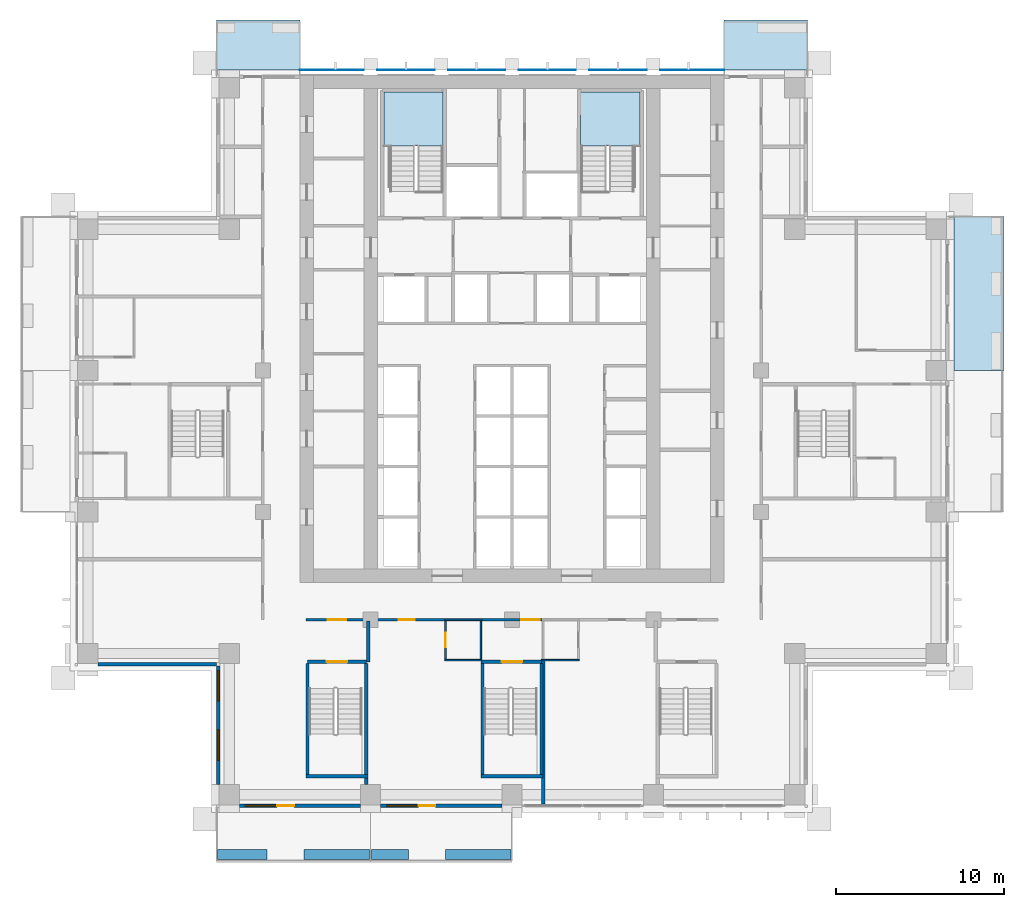
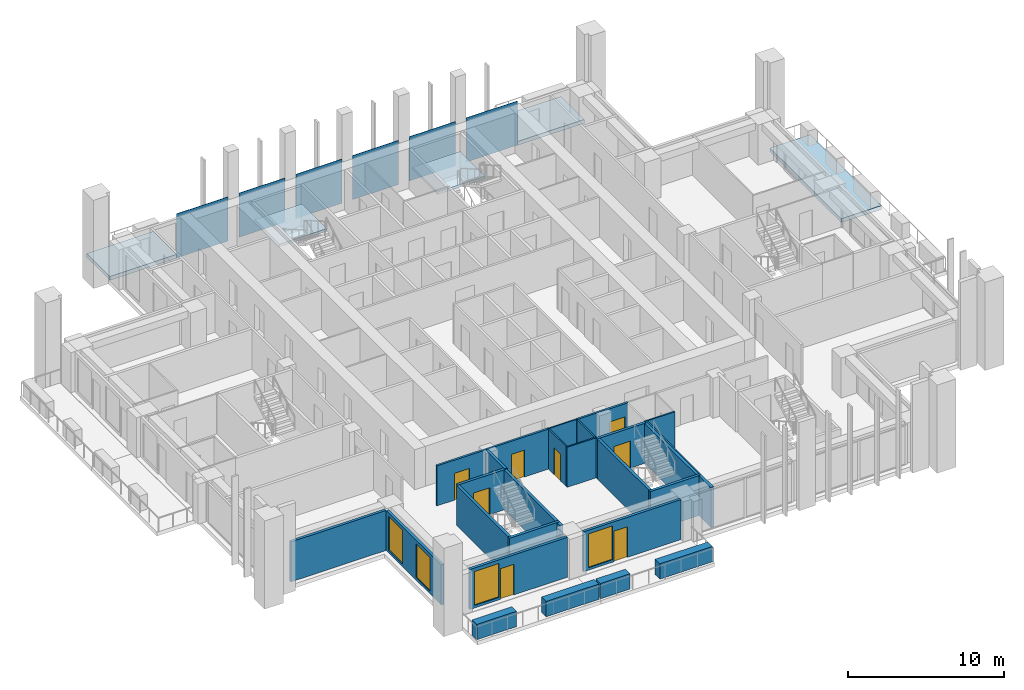
# One storey, part 6 of 17: 25 walls, 8 doors, 6 plates, 5 slabs, 4 windows, 12 openings, 2 elements without a shape of their own.
"""IFC4 building model written with IfcOpenShell, lengths in metres."""

import ifcopenshell
import ifcopenshell.guid

model = None  # the IFC model being written
_history = None  # IfcOwnerHistory: only IFC2X3 demands one
_inside = {}  # id of a spatial element -> (the spatial element, [elements in it])
_under = {}  # id of a project, library or spatial element -> (it, [spatial elements below it])
_declared = {}  # id of a project -> (the project, [libraries it declares])
_typed = {}  # id of a type object -> (the type object, [elements of that type])
_made_of = {}  # id of a material, layer set ... -> (it, [elements and type objects made of it])


def new_model(schema):
    """Start an empty IFC model of exactly this schema.

    Asked for "IFC4X3", IfcOpenShell would pick the latest addendum, in which some entities
    have other attributes; the version numbers below select the first issue.
    IFC2X3 requires an IfcOwnerHistory on every rooted entity: one is made here for all.
    """
    global model, _history
    if schema == "IFC4X3":
        model = ifcopenshell.file(schema_version=(4, 3, 0, 0))
    else:
        model = ifcopenshell.file(schema=schema)
    _inside.clear()
    _under.clear()
    _declared.clear()
    _typed.clear()
    _made_of.clear()
    _history = None
    if model.schema == "IFC2X3":
        org = make("IfcOrganization", Name="unknown")
        user = make(
            "IfcPersonAndOrganization",
            ThePerson=make("IfcPerson", FamilyName="unknown"),
            TheOrganization=org,
        )
        app = make(
            "IfcApplication",
            ApplicationDeveloper=org,
            Version="unknown",
            ApplicationFullName="unknown",
            ApplicationIdentifier="unknown",
        )
        _history = make(
            "IfcOwnerHistory",
            OwningUser=user,
            OwningApplication=app,
            ChangeAction="ADDED",
            CreationDate=0,
        )
    return model


def make(cls, **values):
    """One entity of the class cls with the attributes given. An attribute that is None is left unset."""
    return model.create_entity(
        cls, **{name: value for name, value in values.items() if value is not None}
    )


def rooted(cls, **values):
    """An entity with a GlobalId (a new one), such as an element, a storey or a relation."""
    return make(cls, GlobalId=ifcopenshell.guid.new(), OwnerHistory=_history, **values)


def si_unit(unit_type, name, prefix=None):
    """IfcSIUnit, for example si_unit("LENGTHUNIT", "METRE", prefix="MILLI")."""
    return make("IfcSIUnit", UnitType=unit_type, Prefix=prefix, Name=name)


def assignment(units):
    """IfcUnitAssignment: the units of a project."""
    return None if units is None else make("IfcUnitAssignment", Units=units)


def point(xyz):
    """IfcCartesianPoint."""
    return None if xyz is None else make("IfcCartesianPoint", Coordinates=xyz)


def direction(xyz):
    """IfcDirection."""
    return None if xyz is None else make("IfcDirection", DirectionRatios=xyz)


def frame(location, z_axis=None, x_axis=None):
    """IfcAxis2Placement3D, a coordinate frame: its origin and axes. An axis left out is left unset."""
    return make(
        "IfcAxis2Placement3D",
        Location=point(location),
        Axis=direction(z_axis),
        RefDirection=direction(x_axis),
    )


def frame_2d(location, x_axis=None):
    """IfcAxis2Placement2D, a coordinate frame in the plane: its origin and x axis."""
    return make(
        "IfcAxis2Placement2D", Location=point(location), RefDirection=direction(x_axis)
    )


def origin():
    """The frame at (0, 0, 0) with its axes left unset."""
    return frame((0.0, 0.0, 0.0))


def origin_2d():
    """The frame at (0, 0) in the plane with its x axis left unset."""
    return frame_2d((0.0, 0.0))


def place(relative_to, where):
    """IfcLocalPlacement: puts the frame where relative to a parent placement (None: the world)."""
    return make(
        "IfcLocalPlacement", PlacementRelTo=relative_to, RelativePlacement=where
    )


def context(
    kind, dimensions, precision=None, world=None, true_north=None, identifier=None
):
    """IfcGeometricRepresentationContext, for example the 3D "Model" context."""
    return make(
        "IfcGeometricRepresentationContext",
        ContextIdentifier=identifier,
        ContextType=kind,
        CoordinateSpaceDimension=dimensions,
        Precision=precision,
        WorldCoordinateSystem=world,
        TrueNorth=true_north,
    )


def subcontext(parent, identifier, kind, view, scale=None):
    """IfcGeometricRepresentationSubContext, for example "Body" below "Model"."""
    return make(
        "IfcGeometricRepresentationSubContext",
        ContextIdentifier=identifier,
        ContextType=kind,
        ParentContext=parent,
        TargetScale=scale,
        TargetView=view,
    )


def project(units=None, contexts=None):
    """IfcProject with its units and contexts."""
    return rooted(
        "IfcProject",
        Name="project",
        RepresentationContexts=contexts,
        UnitsInContext=assignment(units),
    )


def spatial(cls, under=None, at=None, **own):
    """A site, building, storey or space (cls), placed at a placement, below another one or the project."""
    s = rooted(cls, ObjectPlacement=at, **own)
    if under is not None:
        _under.setdefault(under.id(), (under, []))[1].append(s)
    return s


def polyline(points):
    """IfcPolyline through the points."""
    return make("IfcPolyline", Points=[point(p) for p in points])


def profile(cls, at=None, kind="AREA", **sizes):
    """A parametric profile (cls). Its sizes go by their IFC names, for example OverallWidth=200.0."""
    return make(cls, ProfileType=kind, Position=at, **sizes)


def rectangle(**sizes):
    """IfcRectangleProfileDef."""
    return profile("IfcRectangleProfileDef", **sizes)


def outline(outer, holes=None, kind="AREA"):
    """IfcArbitraryClosedProfileDef: a profile drawn as a closed curve; with holes, ...WithVoids."""
    if holes is None:
        return make("IfcArbitraryClosedProfileDef", ProfileType=kind, OuterCurve=outer)
    return make(
        "IfcArbitraryProfileDefWithVoids",
        ProfileType=kind,
        OuterCurve=outer,
        InnerCurves=holes,
    )


def extrude(swept, where, along, depth):
    """IfcExtrudedAreaSolid: the profile swept, set in the frame where, extruded along a direction by depth."""
    return make(
        "IfcExtrudedAreaSolid",
        SweptArea=swept,
        Position=where,
        ExtrudedDirection=direction(along),
        Depth=depth,
    )


def shape(context_of_items, identifier, shape_type, items):
    """IfcShapeRepresentation: the items that make up one representation, for example the "Body"."""
    return make(
        "IfcShapeRepresentation",
        ContextOfItems=context_of_items,
        RepresentationIdentifier=identifier,
        RepresentationType=shape_type,
        Items=items,
    )


def material(Name=None, Category=None):
    """IfcMaterial."""
    return make("IfcMaterial", Name=Name, Category=Category)


def layer(
    of_material, thickness, ventilated=None, Name=None, Category=None, Priority=None
):
    """IfcMaterialLayer: one layer of a wall or slab, of a material (None: an air gap)."""
    return make(
        "IfcMaterialLayer",
        Material=of_material,
        LayerThickness=thickness,
        IsVentilated=ventilated,
        Name=Name,
        Category=Category,
        Priority=Priority,
    )


def layer_set(layers, Name=None):
    """IfcMaterialLayerSet."""
    return make("IfcMaterialLayerSet", MaterialLayers=layers, LayerSetName=Name)


def made_of(thing, what):
    """Note that an element or type object is made of a material, layer set ...; save() writes the relation."""
    if what is not None:
        _made_of.setdefault(what.id(), (what, []))[1].append(thing)
    return thing


def type_object(cls, material=None, **own):
    """A type object (cls), such as IfcWallType, which elements share."""
    return made_of(rooted(cls, **own), material)


def element(
    cls,
    number,
    at=None,
    inside=None,
    cuts=None,
    type_object=None,
    material=None,
    context=None,
    identifier="Body",
    shape_type=None,
    held_by="IfcProductDefinitionShape",
    body=None,
    shapes=None,
    **own,
):
    """One element of the class cls, such as IfcWall. Its Tag is "e" and its number.

    at: its placement. inside: the storey or other place that contains it. cuts: it is an
    opening in that element (IfcRelVoidsElement). A single representation is given by context,
    identifier, shape_type and body (its items); several are given by shapes. held_by: the class
    of the entity that holds the representations. save() writes the other relations.
    """
    e = rooted(cls, Tag="e%d" % number, ObjectPlacement=at, **own)
    if body is not None:
        shapes = [shape(context, identifier, shape_type, body)]
    if shapes is not None:
        e.Representation = make(held_by, Representations=shapes)
    if inside is not None:
        _inside.setdefault(inside.id(), (inside, []))[1].append(e)
    if cuts is not None:
        rooted(
            "IfcRelVoidsElement", RelatingBuildingElement=cuts, RelatedOpeningElement=e
        )
    if type_object is not None:
        _typed.setdefault(type_object.id(), (type_object, []))[1].append(e)
    return made_of(e, material)


def fill(opening, filler):
    """IfcRelFillsElement: the door or window that sits in an opening."""
    return rooted(
        "IfcRelFillsElement",
        RelatingOpeningElement=opening,
        RelatedBuildingElement=filler,
    )


def aggregate(whole, parts):
    """IfcRelAggregates: a whole, such as a stair, and the parts it consists of."""
    return rooted("IfcRelAggregates", RelatingObject=whole, RelatedObjects=parts)


def save(model, path):
    """Write the relations noted so far, then the file.

    IfcRelAggregates (storeys below a building ...), IfcRelContainedInSpatialStructure (elements
    in a storey), IfcRelDefinesByType, IfcRelAssociatesMaterial and IfcRelDeclares: one each for
    every whole, place, type object, material and project.
    """
    for whole, parts in _under.values():
        aggregate(whole, parts)
    for where, things in _inside.values():
        rooted(
            "IfcRelContainedInSpatialStructure",
            RelatedElements=things,
            RelatingStructure=where,
        )
    for kind, things in _typed.values():
        rooted("IfcRelDefinesByType", RelatedObjects=things, RelatingType=kind)
    for what, things in _made_of.values():
        rooted("IfcRelAssociatesMaterial", RelatedObjects=things, RelatingMaterial=what)
    for by, libraries in _declared.values():
        rooted("IfcRelDeclares", RelatingContext=by, RelatedDefinitions=libraries)
    model.write(path)


model = new_model("IFC4")

# Units and contexts
model_context = context("Model", 3, precision=1e-05, world=origin(), true_north=direction((0.0, 1.0)))
body_context = subcontext(model_context, "Body", "Model", "MODEL_VIEW")
ifc_project = project(units=[si_unit("LENGTHUNIT", "METRE"), si_unit("AREAUNIT", "SQUARE_METRE"), si_unit("VOLUMEUNIT", "CUBIC_METRE"), si_unit("PLANEANGLEUNIT", "RADIAN"), si_unit("MASSUNIT", "GRAM", prefix="KILO")], contexts=[model_context])

# Site, building, storey
site_placement = place(None, origin())
site = spatial("IfcSite", under=ifc_project, at=site_placement, CompositionType="ELEMENT")
building_placement = place(site_placement, origin())
building = spatial("IfcBuilding", under=site, at=building_placement, Name="Vermilion Ogive Tower", CompositionType="ELEMENT")
storey_placement = place(building_placement, frame((0.0, 0.0, 97.64990234375)))
storey = spatial("IfcBuildingStorey", under=building, at=storey_placement, Name="L24", CompositionType="ELEMENT", Elevation=97.64990234375)

# Slabs
ifc_material_1 = material(Name="Concrete B40", Category="concrete")
ifc_layer_1 = layer(ifc_material_1, 0.300048828125)
ifc_layer_set_1 = layer_set([ifc_layer_1], Name="Balcony slab")
slab_type_1 = type_object("IfcSlabType", Name="Balcony slab", PredefinedType="FLOOR", material=ifc_layer_set_1)
slab_1_placement = place(storey_placement, frame((0.0, 0.0, -0.33984375)))
element("IfcSlab", 1, at=slab_1_placement, inside=storey, type_object=slab_type_1, Name="Balcony slab E03", PredefinedType="FLOOR", context=body_context, shape_type="SweptSolid", body=[
    extrude(outline(polyline([(29.22998046875, 4.199951171875), (29.22998046875, 13.35009765625), (26.25, 13.35009765625), (26.25, 4.199951171875), (29.22998046875, 4.199951171875)])), origin(), (0.0, 0.0, 1.0), 0.300048828125),
])
slab_2_placement = place(storey_placement, frame((0.0, 0.0, -0.33984375)))
element("IfcSlab", 2, at=slab_2_placement, inside=storey, type_object=slab_type_1, Name="Balcony slab N101", PredefinedType="FLOOR", context=body_context, shape_type="SweptSolid", body=[
    extrude(outline(polyline([(17.550048828125, 25.030029296875), (12.60009765625, 25.030029296875), (12.60009765625, 22.050048828125), (17.550048828125, 22.050048828125), (17.550048828125, 25.030029296875)])), origin(), (0.0, 0.0, 1.0), 0.300048828125),
])
slab_3_placement = place(storey_placement, frame((0.0, 0.0, -0.33984375)))
element("IfcSlab", 3, at=slab_3_placement, inside=storey, type_object=slab_type_1, Name="Balcony slab N201", PredefinedType="FLOOR", context=body_context, shape_type="SweptSolid", body=[
    extrude(outline(polyline([(-12.60009765625, 25.030029296875), (-17.550048828125, 25.030029296875), (-17.550048828125, 22.050048828125), (-12.60009765625, 22.050048828125), (-12.60009765625, 25.030029296875)])), origin(), (0.0, 0.0, 1.0), 0.300048828125),
])

# Plates
ifc_material_2 = material(Name="Low-iron laminated glazing in aluminium frame", Category="aluminium")
ifc_layer_2 = layer(ifc_material_2, 0.031982421875)
ifc_layer_set_2 = layer_set([ifc_layer_2], Name="Glazed rainscreen sheet 32")
plate_type = type_object("IfcPlateType", Name="Glazed rainscreen sheet 32", PredefinedType="SHEET", material=ifc_layer_set_2)
plate_1_placement = place(storey_placement, frame((-10.7099609375, 22.06591796875, -0.31982421875), z_axis=(0.0, 0.0, 1.0), x_axis=(1.0, 0.0, 0.0)))
element("IfcPlate", 4, at=plate_1_placement, inside=storey, type_object=plate_type, Name="Glazed rainscreen sheet N1", PredefinedType="SHEET", context=body_context, shape_type="SweptSolid", body=[
    extrude(rectangle(XDim=3.820068359375, YDim=0.031982421875, at=origin_2d()), origin(), (0.0, 0.0, 1.0), 3.449951171875),
])
for number, where, z_axis, x_axis, name in (
    (5, (-6.300048828125, 22.06591796875, -0.31982421875), (0.0, 0.0, 1.0), (1.0, 0.0, 0.0), "Glazed rainscreen sheet N2"),
    (6, (-2.10009765625, 22.06591796875, -0.31982421875), (0.0, 0.0, 1.0), (1.0, 0.0, 0.0), "Glazed rainscreen sheet N3"),
    (7, (2.10009765625, 22.06591796875, -0.31982421875), (0.0, 0.0, 1.0), (1.0, 0.0, 0.0), "Glazed rainscreen sheet N4"),
    (8, (6.300048828125, 22.06591796875, -0.31982421875), (0.0, 0.0, 1.0), (1.0, 0.0, 0.0), "Glazed rainscreen sheet N5"),
):
    element("IfcPlate", number, at=place(storey_placement, frame(where, z_axis=z_axis, x_axis=x_axis)), inside=storey, type_object=plate_type, Name=name, PredefinedType="SHEET", context=body_context, shape_type="SweptSolid", body=[
        extrude(rectangle(XDim=3.39990234375, YDim=0.031982421875, at=origin_2d()), origin(), (0.0, 0.0, 1.0), 3.449951171875),
    ])
plate_2_placement = place(storey_placement, frame((10.7099609375, 22.06591796875, -0.31982421875), z_axis=(0.0, 0.0, 1.0), x_axis=(1.0, 0.0, 0.0)))
element("IfcPlate", 9, at=plate_2_placement, inside=storey, type_object=plate_type, Name="Glazed rainscreen sheet N6", PredefinedType="SHEET", context=body_context, shape_type="SweptSolid", body=[
    extrude(rectangle(XDim=3.820068359375, YDim=0.031982421875, at=origin_2d()), origin(), (0.0, 0.0, 1.0), 3.449951171875),
])

# Stair, slab
ifc_material_3 = material(Name="Concrete B40", Category="concrete")
stair_type = type_object("IfcStairType", Name="Exit stair 1500", PredefinedType="HALF_TURN_STAIR", material=ifc_material_3)
stair_1_placement = place(storey_placement, origin())
stair_1 = element("IfcStair", 10, at=stair_1_placement, inside=storey, type_object=stair_type, Name="L24 Exit Stair ST1", PredefinedType="HALF_TURN_STAIR")
ifc_material_4 = material(Name="Concrete B40", Category="concrete")
ifc_layer_3 = layer(ifc_material_4, 0.199951171875)
ifc_layer_set_3 = layer_set([ifc_layer_3], Name="Stair landing 200")
slab_type_2 = type_object("IfcSlabType", Name="Stair landing 200", PredefinedType="LANDING", material=ifc_layer_set_3)
slab_4_placement = place(storey_placement, frame((0.0, 0.0, 1.525146484375)))
slab_4 = element("IfcSlab", 11, at=slab_4_placement, type_object=slab_type_2, Name="ST1 landing 1", PredefinedType="LANDING", context=body_context, shape_type="SweptSolid", body=[
    extrude(outline(polyline([(-7.60009765625, 17.550048828125), (-7.25, 17.550048828125), (-7.25, 17.548095703125), (-5.75, 17.548095703125), (-5.75, 17.550048828125), (-5.60009765625, 17.550048828125), (-5.60009765625, 17.548095703125), (-4.10009765625, 17.548095703125), (-4.10009765625, 20.75), (-7.60009765625, 20.75), (-7.60009765625, 17.550048828125)])), origin(), (0.0, 0.0, 1.0), 0.199951171875),
])
aggregate(stair_1, [slab_4])

stair_2_placement = place(storey_placement, origin())
stair_2 = element("IfcStair", 12, at=stair_2_placement, inside=storey, type_object=stair_type, Name="L24 Exit Stair ST2", PredefinedType="HALF_TURN_STAIR")
slab_5_placement = place(storey_placement, frame((0.0, 0.0, 1.525146484375)))
slab_5 = element("IfcSlab", 13, at=slab_5_placement, type_object=slab_type_2, Name="ST2 landing 1", PredefinedType="LANDING", context=body_context, shape_type="SweptSolid", body=[
    extrude(outline(polyline([(5.60009765625, 17.550048828125), (5.75, 17.550048828125), (5.75, 17.548095703125), (7.25, 17.548095703125), (7.25, 17.550048828125), (7.60009765625, 17.550048828125), (7.60009765625, 20.75), (4.074951171875, 20.75), (4.074951171875, 17.550048828125), (4.10009765625, 17.550048828125), (4.10009765625, 17.548095703125), (5.60009765625, 17.548095703125), (5.60009765625, 17.550048828125)])), origin(), (0.0, 0.0, 1.0), 0.199951171875),
])
aggregate(stair_2, [slab_5])

# Walls
ifc_material_5 = material(Name="Gypsum board partition on steel studs", Category="steel")
ifc_layer_4 = layer(ifc_material_5, 0.10009765625)
ifc_layer_set_4 = layer_set([ifc_layer_4], Name="Partition 100 bath")
wall_type_1 = type_object("IfcWallType", Name="Partition 100 bath", PredefinedType="PARTITIONING", material=ifc_layer_set_4)
wall_1_placement = place(storey_placement, frame((-4.0, -13.0, 0.0), z_axis=(0.0, 0.0, 1.0), x_axis=(1.0, 0.0, 0.0)))
element("IfcWall", 14, at=wall_1_placement, inside=storey, type_object=wall_type_1, Name="L24-W-W005", PredefinedType="PARTITIONING", context=body_context, shape_type="SweptSolid", body=[
    extrude(rectangle(XDim=2.199951171875, YDim=0.10009765625, at=frame_2d((1.10009765625, 0.0))), origin(), (0.0, 0.0, 1.0), 3.130126953125),
])
wall_2_placement = place(storey_placement, frame((1.75, -13.0, 0.0), z_axis=(0.0, 0.0, 1.0), x_axis=(1.0, 0.0, 0.0)))
element("IfcWall", 15, at=wall_2_placement, inside=storey, type_object=wall_type_1, Name="L24-W-W006", PredefinedType="PARTITIONING", context=body_context, shape_type="SweptSolid", body=[
    extrude(rectangle(XDim=2.25, YDim=0.10009765625, at=frame_2d((1.125, 0.0))), origin(), (0.0, 0.0, 1.0), 3.130126953125),
])
wall_3_placement = place(storey_placement, frame((-4.0, -10.60009765625, 0.0), z_axis=(0.0, 0.0, 1.0), x_axis=(1.0, 0.0, 0.0)))
element("IfcWall", 16, at=wall_3_placement, inside=storey, type_object=wall_type_1, Name="L24-W-W008", PredefinedType="PARTITIONING", context=body_context, shape_type="SweptSolid", body=[
    extrude(rectangle(XDim=2.199951171875, YDim=0.10009765625, at=frame_2d((1.10009765625, 0.0))), origin(), (0.0, 0.0, 1.0), 3.130126953125),
])

# Wall, opening, door
wall_4_placement = place(storey_placement, frame((-3.949951171875, -12.949951171875, 0.0), z_axis=(0.0, 0.0, 1.0), x_axis=(0.0, 1.0, 0.0)))
wall_4 = element("IfcWall", 17, at=wall_4_placement, inside=storey, type_object=wall_type_1, Name="L24-W-W038", PredefinedType="PARTITIONING", context=body_context, shape_type="SweptSolid", body=[
    extrude(rectangle(XDim=2.27490234375, YDim=0.10009765625, at=frame_2d((1.137451171875, 0.0))), origin(), (0.0, 0.0, 1.0), 3.130126953125),
])
opening_1_placement = place(wall_4_placement, frame((0.724853515625, 0.0, 0.0)))
opening_1 = element("IfcOpeningElement", 18, at=opening_1_placement, cuts=wall_4, Name="Opening D2G3010", PredefinedType="OPENING", context=body_context, shape_type="SweptSolid", body=[
    extrude(rectangle(XDim=0.85009765625, YDim=2.10009765625, at=frame_2d((0.425048828125, 1.050048828125))), frame((0.0, 0.06005859375, 0.0), z_axis=(0.0, -1.0, 0.0), x_axis=(1.0, 0.0, 0.0)), (0.0, 0.0, 1.0), 0.1201171875),
])
ifc_material_6 = material(Name="Timber door leaf", Category="wood")
door_type_1 = type_object("IfcDoorType", Name="Bath door 850 x 2100 FD30", OperationType="SINGLE_SWING_LEFT", PredefinedType="DOOR", material=ifc_material_6)
door_1_placement = place(opening_1_placement, origin())
door_1 = element("IfcDoor", 19, at=door_1_placement, inside=storey, type_object=door_type_1, Name="L24-D-D010", OperationType="SINGLE_SWING_RIGHT", OverallHeight=2.10009765625, OverallWidth=0.85009765625, PredefinedType="DOOR", context=body_context, shape_type="SweptSolid", body=[
    extrude(rectangle(XDim=0.85009765625, YDim=2.10009765625, at=frame_2d((0.425048828125, 1.050048828125))), frame((0.0, 0.02490234375, 0.0), z_axis=(0.0, -1.0, 0.0), x_axis=(1.0, 0.0, 0.0)), (0.0, 0.0, 1.0), 0.050048828125),
])
fill(opening_1, door_1)

# Wall
wall_5_placement = place(storey_placement, frame((-1.85009765625, -12.949951171875, 0.0), z_axis=(0.0, 0.0, 1.0), x_axis=(0.0, 1.0, 0.0)))
element("IfcWall", 20, at=wall_5_placement, inside=storey, type_object=wall_type_1, Name="L24-W-W039", PredefinedType="PARTITIONING", context=body_context, shape_type="SweptSolid", body=[
    extrude(rectangle(XDim=2.27490234375, YDim=0.10009765625, at=frame_2d((1.137451171875, 0.0))), origin(), (0.0, 0.0, 1.0), 3.130126953125),
])

# Wall, openings, doors
ifc_material_7 = material(Name="Gypsum board partition on steel studs", Category="steel")
ifc_layer_5 = layer(ifc_material_7, 0.14990234375)
ifc_layer_set_5 = layer_set([ifc_layer_5], Name="Partition 150 corridor")
wall_type_2 = type_object("IfcWallType", Name="Partition 150 corridor", PredefinedType="PARTITIONING", material=ifc_layer_set_5)
wall_6_placement = place(storey_placement, frame((-12.25, -10.60009765625, 0.0), z_axis=(0.0, 0.0, 1.0), x_axis=(1.0, 0.0, 0.0)))
wall_6 = element("IfcWall", 21, at=wall_6_placement, inside=storey, type_object=wall_type_2, Name="L24-W-W007", PredefinedType="PARTITIONING", context=body_context, shape_type="SweptSolid", body=[
    extrude(rectangle(XDim=8.35009765625, YDim=0.14990234375, at=frame_2d((4.175048828125, 0.0))), origin(), (0.0, 0.0, 1.0), 3.130126953125),
])
opening_2_placement = place(wall_6_placement, frame((5.52490234375, 0.0, 0.0)))
opening_2 = element("IfcOpeningElement", 22, at=opening_2_placement, cuts=wall_6, Name="Opening D2G3009", PredefinedType="OPENING", context=body_context, shape_type="SweptSolid", body=[
    extrude(rectangle(XDim=0.949951171875, YDim=2.10009765625, at=frame_2d((0.47509765625, 1.050048828125))), frame((0.0, 0.0849609375, 0.0), z_axis=(0.0, -1.0, 0.0), x_axis=(1.0, 0.0, 0.0)), (0.0, 0.0, 1.0), 0.169921875),
])
opening_3_placement = place(wall_6_placement, frame((1.300048828125, 0.0, 0.0)))
opening_3 = element("IfcOpeningElement", 23, at=opening_3_placement, cuts=wall_6, Name="Opening D2G3020", PredefinedType="OPENING", context=body_context, shape_type="SweptSolid", body=[
    extrude(rectangle(XDim=1.10009765625, YDim=2.10009765625, at=frame_2d((0.550048828125, 1.050048828125))), frame((0.0, 0.0849609375, 0.0), z_axis=(0.0, -1.0, 0.0), x_axis=(1.0, 0.0, 0.0)), (0.0, 0.0, 1.0), 0.169921875),
])
ifc_material_8 = material(Name="Timber door leaf", Category="wood")
door_type_2 = type_object("IfcDoorType", Name="Stair door 1100 x 2100 FD60S", OperationType="SINGLE_SWING_LEFT", PredefinedType="DOOR", material=ifc_material_8)
door_2_placement = place(opening_3_placement, origin())
door_2 = element("IfcDoor", 24, at=door_2_placement, inside=storey, type_object=door_type_2, Name="L24-D-D020", OperationType="SINGLE_SWING_RIGHT", OverallHeight=2.10009765625, OverallWidth=1.10009765625, PredefinedType="DOOR", context=body_context, shape_type="SweptSolid", body=[
    extrude(rectangle(XDim=1.10009765625, YDim=2.10009765625, at=frame_2d((0.550048828125, 1.050048828125))), frame((0.0, 0.02490234375, 0.0), z_axis=(0.0, -1.0, 0.0), x_axis=(1.0, 0.0, 0.0)), (0.0, 0.0, 1.0), 0.050048828125),
])
fill(opening_3, door_2)
ifc_material_9 = material(Name="Timber door leaf", Category="wood")
door_type_3 = type_object("IfcDoorType", Name="Unit door 950 x 2100 FD30S", OperationType="SINGLE_SWING_LEFT", PredefinedType="DOOR", material=ifc_material_9)
door_3_placement = place(opening_2_placement, origin())
door_3 = element("IfcDoor", 25, at=door_3_placement, inside=storey, type_object=door_type_3, Name="L24-D-D009", OperationType="SINGLE_SWING_LEFT", OverallHeight=2.10009765625, OverallWidth=0.949951171875, PredefinedType="DOOR", context=body_context, shape_type="SweptSolid", body=[
    extrude(rectangle(XDim=0.949951171875, YDim=2.10009765625, at=frame_2d((0.47509765625, 1.050048828125))), frame((0.0, 0.02490234375, 0.0), z_axis=(0.0, -1.0, 0.0), x_axis=(1.0, 0.0, 0.0)), (0.0, 0.0, 1.0), 0.050048828125),
])
fill(opening_2, door_3)

# Wall, opening, door
wall_7_placement = place(storey_placement, frame((-1.89990234375, -10.60009765625, 0.0), z_axis=(0.0, 0.0, 1.0), x_axis=(1.0, 0.0, 0.0)))
wall_7 = element("IfcWall", 26, at=wall_7_placement, inside=storey, type_object=wall_type_2, Name="L24-W-W009", PredefinedType="PARTITIONING", context=body_context, shape_type="SweptSolid", body=[
    extrude(rectangle(XDim=3.7998046875, YDim=0.14990234375, at=frame_2d((1.89990234375, 0.0))), origin(), (0.0, 0.0, 1.0), 3.130126953125),
])
opening_4_placement = place(wall_7_placement, frame((2.449951171875, 0.0, 0.0)))
opening_4 = element("IfcOpeningElement", 27, at=opening_4_placement, cuts=wall_7, Name="Opening D2G3022", PredefinedType="OPENING", context=body_context, shape_type="SweptSolid", body=[
    extrude(rectangle(XDim=1.10009765625, YDim=2.10009765625, at=frame_2d((0.550048828125, 1.050048828125))), frame((0.0, 0.0849609375, 0.0), z_axis=(0.0, -1.0, 0.0), x_axis=(1.0, 0.0, 0.0)), (0.0, 0.0, 1.0), 0.169921875),
])
door_4_placement = place(opening_4_placement, origin())
door_4 = element("IfcDoor", 28, at=door_4_placement, inside=storey, type_object=door_type_2, Name="L24-D-D022", OperationType="SINGLE_SWING_LEFT", OverallHeight=2.10009765625, OverallWidth=1.10009765625, PredefinedType="DOOR", context=body_context, shape_type="SweptSolid", body=[
    extrude(rectangle(XDim=1.10009765625, YDim=2.10009765625, at=frame_2d((0.550048828125, 1.050048828125))), frame((0.0, 0.02490234375, 0.0), z_axis=(0.0, -1.0, 0.0), x_axis=(1.0, 0.0, 0.0)), (0.0, 0.0, 1.0), 0.050048828125),
])
fill(opening_4, door_4)

# Walls
ifc_material_10 = material(Name="Gypsum board partition on steel studs", Category="steel")
ifc_layer_6 = layer(ifc_material_10, 0.199951171875)
ifc_layer_set_6 = layer_set([ifc_layer_6], Name="Partition 200 party")
wall_type_3 = type_object("IfcWallType", Name="Partition 200 party", PredefinedType="PARTITIONING", material=ifc_layer_set_6)
wall_8_placement = place(storey_placement, frame((-8.550048828125, -13.10009765625, 0.0), z_axis=(0.0, 0.0, 1.0), x_axis=(0.0, 1.0, 0.0)))
element("IfcWall", 29, at=wall_8_placement, inside=storey, type_object=wall_type_3, Name="L24-W-W037", PredefinedType="PARTITIONING", context=body_context, shape_type="SweptSolid", body=[
    extrude(rectangle(XDim=2.425048828125, YDim=0.199951171875, at=frame_2d((1.21240234375, 0.0))), origin(), (0.0, 0.0, 1.0), 3.130126953125),
])
ifc_material_11 = material(Name="Concrete B60", Category="concrete")
ifc_layer_7 = layer(ifc_material_11, 0.199951171875)
ifc_layer_set_7 = layer_set([ifc_layer_7], Name="Stair shaft wall 200 Concrete B60")
wall_type_4 = type_object("IfcWallType", Name="Stair shaft wall 200 Concrete B60", PredefinedType="SOLIDWALL", material=ifc_layer_set_7)
wall_9_placement = place(storey_placement, frame((-1.847900390625, -19.89990234375, 0.0), z_axis=(0.0, 0.0, 1.0), x_axis=(1.0, 0.0, 0.0)))
element("IfcWall", 30, at=wall_9_placement, inside=storey, type_object=wall_type_4, Name="L24-W-W001", PredefinedType="SOLIDWALL", context=body_context, shape_type="SweptSolid", body=[
    extrude(rectangle(XDim=3.69580078125, YDim=0.199951171875, at=frame_2d((1.847900390625, 0.0))), origin(), (0.0, 0.0, 1.0), 3.130126953125),
])

# Wall, opening, door
wall_10_placement = place(storey_placement, frame((-12.14990234375, -13.10009765625, 0.0), z_axis=(0.0, 0.0, 1.0), x_axis=(1.0, 0.0, 0.0)))
wall_10 = element("IfcWall", 31, at=wall_10_placement, inside=storey, type_object=wall_type_4, Name="L24-W-W002", PredefinedType="SOLIDWALL", context=body_context, shape_type="SweptSolid", body=[
    extrude(rectangle(XDim=3.5, YDim=0.199951171875, at=frame_2d((1.75, 0.0))), origin(), (0.0, 0.0, 1.0), 3.130126953125),
])
opening_5_placement = place(wall_10_placement, frame((1.14990234375, 0.0, 0.0)))
opening_5 = element("IfcOpeningElement", 32, at=opening_5_placement, cuts=wall_10, Name="Opening D2G3021", PredefinedType="OPENING", context=body_context, shape_type="SweptSolid", body=[
    extrude(rectangle(XDim=1.199951171875, YDim=2.10009765625, at=frame_2d((0.60009765625, 1.050048828125))), frame((0.0, 0.10986328125, 0.0), z_axis=(0.0, -1.0, 0.0), x_axis=(1.0, 0.0, 0.0)), (0.0, 0.0, 1.0), 0.219970703125),
])
ifc_material_12 = material(Name="Timber door leaf", Category="wood")
door_type_4 = type_object("IfcDoorType", Name="Stair door 1200 x 2100 FD60S", OperationType="SINGLE_SWING_LEFT", PredefinedType="DOOR", material=ifc_material_12)
door_5_placement = place(opening_5_placement, origin())
door_5 = element("IfcDoor", 33, at=door_5_placement, inside=storey, type_object=door_type_4, Name="L24-D-D021", OperationType="SINGLE_SWING_RIGHT", OverallHeight=2.10009765625, OverallWidth=1.199951171875, PredefinedType="DOOR", context=body_context, shape_type="SweptSolid", body=[
    extrude(rectangle(XDim=1.199951171875, YDim=2.10009765625, at=frame_2d((0.60009765625, 1.050048828125))), frame((0.0, 0.02490234375, 0.0), z_axis=(0.0, -1.0, 0.0), x_axis=(1.0, 0.0, 0.0)), (0.0, 0.0, 1.0), 0.050048828125),
])
fill(opening_5, door_5)

wall_11_placement = place(storey_placement, frame((-1.847900390625, -13.10009765625, 0.0), z_axis=(0.0, 0.0, 1.0), x_axis=(1.0, 0.0, 0.0)))
wall_11 = element("IfcWall", 34, at=wall_11_placement, inside=storey, type_object=wall_type_4, Name="L24-W-W003", PredefinedType="SOLIDWALL", context=body_context, shape_type="SweptSolid", body=[
    extrude(rectangle(XDim=3.595947265625, YDim=0.199951171875, at=frame_2d((1.7978515625, 0.0))), origin(), (0.0, 0.0, 1.0), 3.130126953125),
])
opening_6_placement = place(wall_11_placement, frame((1.247802734375, 0.0, 0.0)))
opening_6 = element("IfcOpeningElement", 35, at=opening_6_placement, cuts=wall_11, Name="Opening D2G3023", PredefinedType="OPENING", context=body_context, shape_type="SweptSolid", body=[
    extrude(rectangle(XDim=1.199951171875, YDim=2.10009765625, at=frame_2d((0.60009765625, 1.050048828125))), frame((0.0, 0.10986328125, 0.0), z_axis=(0.0, -1.0, 0.0), x_axis=(1.0, 0.0, 0.0)), (0.0, 0.0, 1.0), 0.219970703125),
])
door_6_placement = place(opening_6_placement, origin())
door_6 = element("IfcDoor", 36, at=door_6_placement, inside=storey, type_object=door_type_4, Name="L24-D-D023", OperationType="SINGLE_SWING_RIGHT", OverallHeight=2.10009765625, OverallWidth=1.199951171875, PredefinedType="DOOR", context=body_context, shape_type="SweptSolid", body=[
    extrude(rectangle(XDim=1.199951171875, YDim=2.10009765625, at=frame_2d((0.60009765625, 1.050048828125))), frame((0.0, 0.02490234375, 0.0), z_axis=(0.0, -1.0, 0.0), x_axis=(1.0, 0.0, 0.0)), (0.0, 0.0, 1.0), 0.050048828125),
])
fill(opening_6, door_6)

# Walls
for number, where, z_axis, x_axis, name in (
    (37, (-1.75, -19.798095703125, 0.0), (0.0, 0.0, 1.0), (0.0, 1.0, 0.0), "L24-W-W040"),
    (38, (1.75, -19.798095703125, 0.0), (0.0, 0.0, 1.0), (0.0, 1.0, 0.0), "L24-W-W041"),
):
    element("IfcWall", number, at=place(storey_placement, frame(where, z_axis=z_axis, x_axis=x_axis)), inside=storey, type_object=wall_type_4, Name=name, PredefinedType="SOLIDWALL", context=body_context, shape_type="SweptSolid", body=[
        extrude(rectangle(XDim=6.59619140625, YDim=0.199951171875, at=frame_2d((3.298095703125, 0.0))), origin(), (0.0, 0.0, 1.0), 3.130126953125),
    ])
wall_12_placement = place(storey_placement, frame((-12.25, -19.89990234375, 0.0), z_axis=(0.0, 0.0, 1.0), x_axis=(1.0, 0.0, 0.0)))
element("IfcWall", 39, at=wall_12_placement, inside=storey, type_object=wall_type_4, Name="L24-SW-ST3-S1", PredefinedType="SOLIDWALL", context=body_context, shape_type="SweptSolid", body=[
    extrude(rectangle(XDim=3.699951171875, YDim=0.199951171875, at=frame_2d((1.85009765625, 0.0))), origin(), (0.0, 0.0, 1.0), 3.130126953125),
])
wall_13_placement = place(storey_placement, frame((-12.14990234375, -19.800048828125, 0.0), z_axis=(0.0, 0.0, 1.0), x_axis=(0.0, 1.0, 0.0)))
element("IfcWall", 40, at=wall_13_placement, inside=storey, type_object=wall_type_4, Name="L24-SW-ST3-W1", PredefinedType="SOLIDWALL", context=body_context, shape_type="SweptSolid", body=[
    extrude(rectangle(XDim=6.60009765625, YDim=0.199951171875, at=frame_2d((3.300048828125, 0.0))), origin(), (0.0, 0.0, 1.0), 3.130126953125),
])
wall_14_placement = place(storey_placement, frame((-8.64990234375, -20.39990234375, 0.0), z_axis=(0.0, 0.0, 1.0), x_axis=(0.0, 1.0, 0.0)))
element("IfcWall", 41, at=wall_14_placement, inside=storey, type_object=wall_type_4, Name="L24-SW-ST3-E1", PredefinedType="SOLIDWALL", context=body_context, shape_type="SweptSolid", body=[
    extrude(rectangle(XDim=7.199951171875, YDim=0.199951171875, at=frame_2d((3.60009765625, 0.0))), origin(), (0.0, 0.0, 1.0), 3.130126953125),
])
wall_15_placement = place(storey_placement, frame((1.85009765625, -21.550048828125, 0.0), z_axis=(0.0, 0.0, 1.0), x_axis=(0.0, 1.0, 0.0)))
element("IfcWall", 42, at=wall_15_placement, inside=storey, type_object=wall_type_4, Name="L24-W-W042-A", PredefinedType="SOLIDWALL", context=body_context, shape_type="SweptSolid", body=[
    extrude(rectangle(XDim=8.5, YDim=0.199951171875, at=frame_2d((4.25, 0.0))), origin(), (0.0, 0.0, 1.0), 3.130126953125),
])
ifc_material_13 = material(Name="Concrete B40", Category="concrete")
ifc_layer_8 = layer(ifc_material_13, 0.60009765625)
ifc_layer_set_8 = layer_set([ifc_layer_8], Name="Structural planter")
wall_type_5 = type_object("IfcWallType", Name="Structural planter", PredefinedType="USERDEFINED", material=ifc_layer_set_8)
wall_16_placement = place(storey_placement, frame((-17.489990234375, -24.550048828125, -0.039794921875), z_axis=(0.0, 0.0, 1.0), x_axis=(1.0, 0.0, 0.0)))
element("IfcWall", 43, at=wall_16_placement, inside=storey, type_object=wall_type_5, Name="Planter S01A1", ObjectType="PLANTER", PredefinedType="USERDEFINED", context=body_context, shape_type="SweptSolid", body=[
    extrude(rectangle(XDim=2.93994140625, YDim=0.60009765625, at=frame_2d((1.469970703125, 0.0))), origin(), (0.0, 0.0, 1.0), 1.199951171875),
])
wall_17_placement = place(storey_placement, frame((-12.35009765625, -24.550048828125, -0.039794921875), z_axis=(0.0, 0.0, 1.0), x_axis=(1.0, 0.0, 0.0)))
element("IfcWall", 44, at=wall_17_placement, inside=storey, type_object=wall_type_5, Name="Planter S01A2", ObjectType="PLANTER", PredefinedType="USERDEFINED", context=body_context, shape_type="SweptSolid", body=[
    extrude(rectangle(XDim=3.89013671875, YDim=0.60009765625, at=frame_2d((1.945068359375, 0.0))), origin(), (0.0, 0.0, 1.0), 1.199951171875),
])
wall_18_placement = place(storey_placement, frame((-8.340087890625, -24.550048828125, -0.039794921875), z_axis=(0.0, 0.0, 1.0), x_axis=(1.0, 0.0, 0.0)))
element("IfcWall", 45, at=wall_18_placement, inside=storey, type_object=wall_type_5, Name="Planter S02A1", ObjectType="PLANTER", PredefinedType="USERDEFINED", context=body_context, shape_type="SweptSolid", body=[
    extrude(rectangle(XDim=2.190185546875, YDim=0.60009765625, at=frame_2d((1.09521484375, 0.0))), origin(), (0.0, 0.0, 1.0), 1.199951171875),
])
wall_19_placement = place(storey_placement, frame((-3.949951171875, -24.550048828125, -0.039794921875), z_axis=(0.0, 0.0, 1.0), x_axis=(1.0, 0.0, 0.0)))
element("IfcWall", 46, at=wall_19_placement, inside=storey, type_object=wall_type_5, Name="Planter S02A2", ObjectType="PLANTER", PredefinedType="USERDEFINED", context=body_context, shape_type="SweptSolid", body=[
    extrude(rectangle(XDim=3.889892578125, YDim=0.60009765625, at=frame_2d((1.94482421875, 0.0))), origin(), (0.0, 0.0, 1.0), 1.199951171875),
])

# Wall, openings, door, window
ifc_material_14 = material(Name="Aluminium window wall framing", Category="aluminium")
ifc_layer_9 = layer(ifc_material_14, 0.199951171875)
ifc_layer_set_9 = layer_set([ifc_layer_9], Name="Window wall")
wall_type_6 = type_object("IfcWallType", Name="Window wall", PredefinedType="STANDARD", material=ifc_layer_set_9)
wall_20_placement = place(storey_placement, frame((-16.199951171875, -21.64990234375, 0.0), z_axis=(0.0, 0.0, 1.0), x_axis=(1.0, 0.0, 0.0)))
wall_20 = element("IfcWall", 47, at=wall_20_placement, inside=storey, type_object=wall_type_6, Name="Window wall S1", PredefinedType="STANDARD", context=body_context, shape_type="SweptSolid", body=[
    extrude(rectangle(XDim=7.199951171875, YDim=0.199951171875, at=frame_2d((3.60009765625, 0.0))), origin(), (0.0, 0.0, 1.0), 3.130126953125),
])
opening_7_placement = place(wall_20_placement, frame((0.35009765625, 0.0, 0.199951171875)))
opening_7 = element("IfcOpeningElement", 48, at=opening_7_placement, cuts=wall_20, Name="Opening W1-S96", PredefinedType="OPENING", context=body_context, shape_type="SweptSolid", body=[
    extrude(rectangle(XDim=1.800048828125, YDim=2.64990234375, at=frame_2d((0.89990234375, 1.324951171875))), frame((0.0, 0.10986328125, 0.0), z_axis=(0.0, -1.0, 0.0), x_axis=(1.0, 0.0, 0.0)), (0.0, 0.0, 1.0), 0.219970703125),
])
opening_8_placement = place(wall_20_placement, frame((2.25, 0.0, 0.0)))
opening_8 = element("IfcOpeningElement", 49, at=opening_8_placement, cuts=wall_20, Name="Opening D1-S96", PredefinedType="OPENING", context=body_context, shape_type="SweptSolid", body=[
    extrude(rectangle(XDim=1.0, YDim=2.39990234375, at=frame_2d((0.5, 1.199951171875))), frame((0.0, 0.10986328125, 0.0), z_axis=(0.0, -1.0, 0.0), x_axis=(1.0, 0.0, 0.0)), (0.0, 0.0, 1.0), 0.219970703125),
])
ifc_material_15 = material(Name="Aluminium framed glazed door", Category="aluminium")
door_type_5 = type_object("IfcDoorType", Name="Balcony door D1", OperationType="SINGLE_SWING_LEFT", PredefinedType="DOOR", material=ifc_material_15)
door_7_placement = place(opening_8_placement, origin())
door_7 = element("IfcDoor", 50, at=door_7_placement, inside=storey, type_object=door_type_5, Name="Balcony door S96", OperationType="SINGLE_SWING_LEFT", OverallHeight=2.39990234375, OverallWidth=1.0, PredefinedType="DOOR", context=body_context, shape_type="SweptSolid", body=[
    extrude(rectangle(XDim=1.0, YDim=2.39990234375, at=frame_2d((0.5, 1.199951171875))), frame((0.0, 0.02490234375, 0.0), z_axis=(0.0, -1.0, 0.0), x_axis=(1.0, 0.0, 0.0)), (0.0, 0.0, 1.0), 0.050048828125),
])
fill(opening_8, door_7)
ifc_material_16 = material(Name="Aluminium framed double glazing", Category="aluminium")
window_type = type_object("IfcWindowType", Name="Guest window W1", PartitioningType="SINGLE_PANEL", PredefinedType="WINDOW", material=ifc_material_16)
window_1_placement = place(opening_7_placement, origin())
window_1 = element("IfcWindow", 51, at=window_1_placement, inside=storey, type_object=window_type, Name="Window S96", OverallHeight=2.64990234375, OverallWidth=1.800048828125, PartitioningType="SINGLE_PANEL", PredefinedType="WINDOW", context=body_context, shape_type="SweptSolid", body=[
    extrude(rectangle(XDim=1.800048828125, YDim=2.64990234375, at=frame_2d((0.89990234375, 1.324951171875))), frame((0.0, 0.030029296875, 0.0), z_axis=(0.0, -1.0, 0.0), x_axis=(1.0, 0.0, 0.0)), (0.0, 0.0, 1.0), 0.06005859375),
])
fill(opening_7, window_1)

wall_21_placement = place(storey_placement, frame((-7.800048828125, -21.64990234375, 0.0), z_axis=(0.0, 0.0, 1.0), x_axis=(1.0, 0.0, 0.0)))
wall_21 = element("IfcWall", 52, at=wall_21_placement, inside=storey, type_object=wall_type_6, Name="Window wall S2", PredefinedType="STANDARD", context=body_context, shape_type="SweptSolid", body=[
    extrude(rectangle(XDim=7.199951171875, YDim=0.199951171875, at=frame_2d((3.60009765625, 0.0))), origin(), (0.0, 0.0, 1.0), 3.130126953125),
])
opening_9_placement = place(wall_21_placement, frame((0.35009765625, 0.0, 0.199951171875)))
opening_9 = element("IfcOpeningElement", 53, at=opening_9_placement, cuts=wall_21, Name="Opening W1-S98", PredefinedType="OPENING", context=body_context, shape_type="SweptSolid", body=[
    extrude(rectangle(XDim=1.800048828125, YDim=2.64990234375, at=frame_2d((0.89990234375, 1.324951171875))), frame((0.0, 0.10986328125, 0.0), z_axis=(0.0, -1.0, 0.0), x_axis=(1.0, 0.0, 0.0)), (0.0, 0.0, 1.0), 0.219970703125),
])
opening_10_placement = place(wall_21_placement, frame((2.25, 0.0, 0.0)))
opening_10 = element("IfcOpeningElement", 54, at=opening_10_placement, cuts=wall_21, Name="Opening D1-S98", PredefinedType="OPENING", context=body_context, shape_type="SweptSolid", body=[
    extrude(rectangle(XDim=1.0, YDim=2.39990234375, at=frame_2d((0.5, 1.199951171875))), frame((0.0, 0.10986328125, 0.0), z_axis=(0.0, -1.0, 0.0), x_axis=(1.0, 0.0, 0.0)), (0.0, 0.0, 1.0), 0.219970703125),
])
door_8_placement = place(opening_10_placement, origin())
door_8 = element("IfcDoor", 55, at=door_8_placement, inside=storey, type_object=door_type_5, Name="Balcony door S98", OperationType="SINGLE_SWING_LEFT", OverallHeight=2.39990234375, OverallWidth=1.0, PredefinedType="DOOR", context=body_context, shape_type="SweptSolid", body=[
    extrude(rectangle(XDim=1.0, YDim=2.39990234375, at=frame_2d((0.5, 1.199951171875))), frame((0.0, 0.02490234375, 0.0), z_axis=(0.0, -1.0, 0.0), x_axis=(1.0, 0.0, 0.0)), (0.0, 0.0, 1.0), 0.050048828125),
])
fill(opening_10, door_8)
window_2_placement = place(opening_9_placement, origin())
window_2 = element("IfcWindow", 56, at=window_2_placement, inside=storey, type_object=window_type, Name="Window S98", OverallHeight=2.64990234375, OverallWidth=1.800048828125, PartitioningType="SINGLE_PANEL", PredefinedType="WINDOW", context=body_context, shape_type="SweptSolid", body=[
    extrude(rectangle(XDim=1.800048828125, YDim=2.64990234375, at=frame_2d((0.89990234375, 1.324951171875))), frame((0.0, 0.030029296875, 0.0), z_axis=(0.0, -1.0, 0.0), x_axis=(1.0, 0.0, 0.0)), (0.0, 0.0, 1.0), 0.06005859375),
])
fill(opening_9, window_2)

# Wall
wall_22_placement = place(storey_placement, frame((-24.60009765625, -13.25, 0.0), z_axis=(0.0, 0.0, 1.0), x_axis=(1.0, 0.0, 0.0)))
element("IfcWall", 57, at=wall_22_placement, inside=storey, type_object=wall_type_6, Name="Window wall X71", PredefinedType="STANDARD", context=body_context, shape_type="SweptSolid", body=[
    extrude(rectangle(XDim=7.050048828125, YDim=0.199951171875, at=frame_2d((3.52490234375, 0.0))), origin(), (0.0, 0.0, 1.0), 3.130126953125),
])

# Wall, openings, windows
wall_23_placement = place(storey_placement, frame((-17.449951171875, -13.35009765625, 0.0), z_axis=(0.0, 0.0, 1.0), x_axis=(0.0, -1.0, 0.0)))
wall_23 = element("IfcWall", 58, at=wall_23_placement, inside=storey, type_object=wall_type_6, Name="Window wall X81", PredefinedType="STANDARD", context=body_context, shape_type="SweptSolid", body=[
    extrude(rectangle(XDim=7.0498046875, YDim=0.199951171875, at=frame_2d((3.52490234375, 0.0))), origin(), (0.0, 0.0, 1.0), 3.130126953125),
])
opening_11_placement = place(wall_23_placement, frame((3.800048828125, 0.0, 0.199951171875)))
opening_11 = element("IfcOpeningElement", 59, at=opening_11_placement, cuts=wall_23, Name="Opening W1-X895", PredefinedType="OPENING", context=body_context, shape_type="SweptSolid", body=[
    extrude(rectangle(XDim=1.800048828125, YDim=2.64990234375, at=frame_2d((0.89990234375, 1.324951171875))), frame((0.0, 0.10986328125, 0.0), z_axis=(0.0, -1.0, 0.0), x_axis=(1.0, 0.0, 0.0)), (0.0, 0.0, 1.0), 0.219970703125),
])
opening_12_placement = place(wall_23_placement, frame((0.27490234375, 0.0, 0.199951171875)))
opening_12 = element("IfcOpeningElement", 60, at=opening_12_placement, cuts=wall_23, Name="Opening W1-X896", PredefinedType="OPENING", context=body_context, shape_type="SweptSolid", body=[
    extrude(rectangle(XDim=1.800048828125, YDim=2.64990234375, at=frame_2d((0.89990234375, 1.324951171875))), frame((0.0, 0.10986328125, 0.0), z_axis=(0.0, -1.0, 0.0), x_axis=(1.0, 0.0, 0.0)), (0.0, 0.0, 1.0), 0.219970703125),
])
window_3_placement = place(opening_11_placement, origin())
window_3 = element("IfcWindow", 61, at=window_3_placement, inside=storey, type_object=window_type, Name="Window X895", OverallHeight=2.64990234375, OverallWidth=1.800048828125, PartitioningType="SINGLE_PANEL", PredefinedType="WINDOW", context=body_context, shape_type="SweptSolid", body=[
    extrude(rectangle(XDim=1.800048828125, YDim=2.64990234375, at=frame_2d((0.89990234375, 1.324951171875))), frame((0.0, 0.030029296875, 0.0), z_axis=(0.0, -1.0, 0.0), x_axis=(1.0, 0.0, 0.0)), (0.0, 0.0, 1.0), 0.06005859375),
])
fill(opening_11, window_3)
window_4_placement = place(opening_12_placement, origin())
window_4 = element("IfcWindow", 62, at=window_4_placement, inside=storey, type_object=window_type, Name="Window X896", OverallHeight=2.64990234375, OverallWidth=1.800048828125, PartitioningType="SINGLE_PANEL", PredefinedType="WINDOW", context=body_context, shape_type="SweptSolid", body=[
    extrude(rectangle(XDim=1.800048828125, YDim=2.64990234375, at=frame_2d((0.89990234375, 1.324951171875))), frame((0.0, 0.030029296875, 0.0), z_axis=(0.0, -1.0, 0.0), x_axis=(1.0, 0.0, 0.0)), (0.0, 0.0, 1.0), 0.06005859375),
])
fill(opening_12, window_4)

save(model, "model.ifc")
